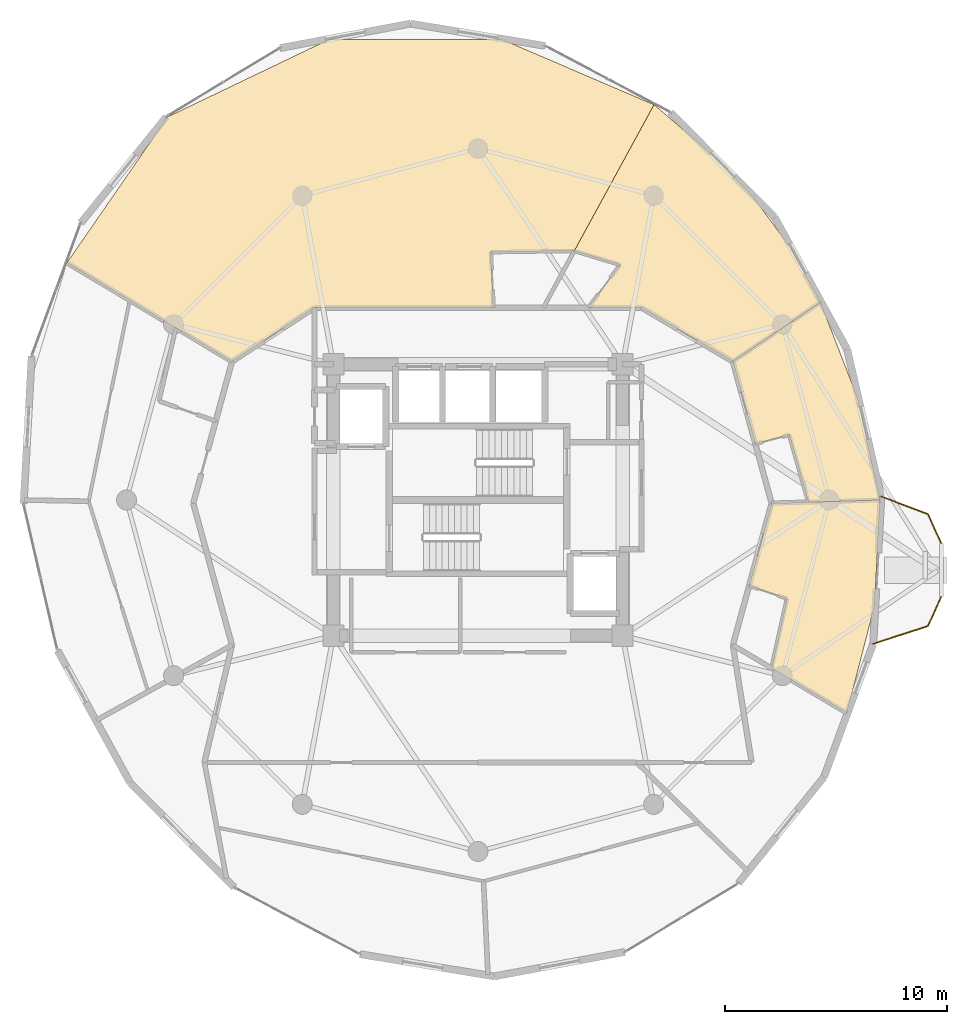
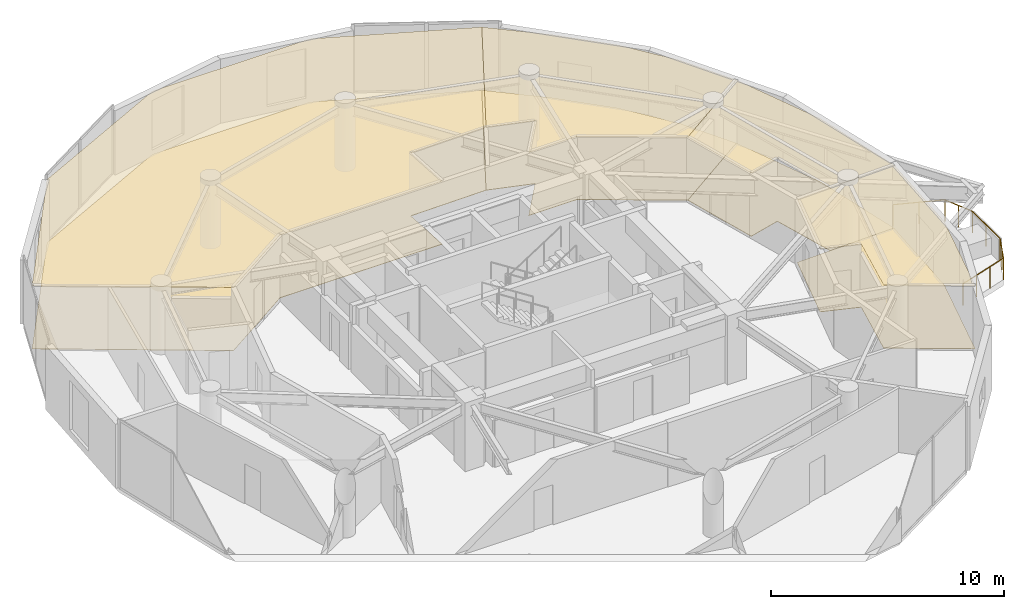
# One storey, part 21 of 21: 8 coverings, 1 railing.
"""IFC4 building model written with IfcOpenShell, lengths in metres."""

from ifc_helpers import new_model, si_unit, direction, frame, origin, origin_2d, place, context, subcontext, project, spatial, polyline, circle, outline, extrude, material, layer, layer_set, type_object, element, save


model = new_model("IFC4")

# Units and contexts
model_context = context("Model", 3, precision=1e-05, world=origin(), true_north=direction((0.0, 1.0)))
body_context = subcontext(model_context, "Body", "Model", "MODEL_VIEW")
ifc_project = project(units=[si_unit("LENGTHUNIT", "METRE"), si_unit("AREAUNIT", "SQUARE_METRE"), si_unit("VOLUMEUNIT", "CUBIC_METRE"), si_unit("PLANEANGLEUNIT", "RADIAN"), si_unit("MASSUNIT", "GRAM", prefix="KILO")], contexts=[model_context])

# Site, building, storey
site_placement = place(None, origin())
site = spatial("IfcSite", under=ifc_project, at=site_placement, CompositionType="ELEMENT")
building_placement = place(site_placement, origin())
building = spatial("IfcBuilding", under=site, at=building_placement, Name="Solvirekh Grand Hotel", CompositionType="ELEMENT")
storey_placement = place(building_placement, frame((0.0, 0.0, 216.39990234375)))
storey = spatial("IfcBuildingStorey", under=building, at=storey_placement, Name="L56", CompositionType="ELEMENT", Elevation=216.39990234375)

# Coverings
ifc_material_1 = material(Name="Acoustic Mineral Ceiling Tile")
ifc_layer_1 = layer(ifc_material_1, 0.02490234375)
ifc_layer_set_1 = layer_set([ifc_layer_1], Name="Acoustic Mineral Ceiling Tile")
covering_type_1 = type_object("IfcCoveringType", Name="Cov_Ceiling_Acoustic", PredefinedType="CEILING", material=ifc_layer_set_1)
covering_1_placement = place(storey_placement, frame((0.0, 0.0, 3.31005859375)))
element("IfcCovering", 1, at=covering_1_placement, inside=storey, type_object=covering_type_1, Name="L56 Deluxe Guestroom 5801 acoustic ceiling", PredefinedType="CEILING", context=body_context, shape_type="SweptSolid", body=[
    extrude(outline(polyline([(4.33203125, 11.2041015625), (6.39306640625, 10.575927734375), (4.968994140625, 8.64990234375), (7.35009765625, 8.64990234375), (11.4580078125, 6.22509765625), (15.39501953125, 8.887939453125), (14.035888671875, 11.365966796875), (12.321044921875, 13.68408203125), (10.242919921875, 15.77294921875), (7.9130859375, 17.77197265625), (4.33203125, 11.2041015625)])), origin(), (0.0, 0.0, 1.0), 0.01806640625),
])
covering_2_placement = place(storey_placement, frame((0.0, 0.0, 3.31005859375)))
element("IfcCovering", 2, at=covering_2_placement, inside=storey, type_object=covering_type_1, Name="L56 Panorama Suite 5802 acoustic ceiling", PredefinedType="CEILING", context=body_context, shape_type="SweptSolid", body=[
    extrude(outline(polyline([(0.68994140625, 8.64990234375), (0.570068359375, 11.14990234375), (4.33203125, 11.2041015625), (2.93994140625, 8.64990234375), (7.9130859375, 17.77197265625), (1.0849609375, 20.698974609375), (-6.721923828125, 20.68994140625), (-13.947998046875, 17.22412109375), (-18.47607421875, 10.6669921875), (-11.05810546875, 6.22509765625), (-7.35009765625, 8.64990234375), (0.68994140625, 8.64990234375)])), origin(), (0.0, 0.0, 1.0), 0.01806640625),
])
covering_3_placement = place(storey_placement, frame((0.0, 0.0, 3.31005859375)))
element("IfcCovering", 3, at=covering_3_placement, inside=storey, type_object=covering_type_1, Name="L56 Deluxe Guestroom 5804 acoustic ceiling", PredefinedType="CEILING", context=body_context, shape_type="SweptSolid", body=[
    extrude(outline(polyline([(13.89697265625, -4.427001953125), (13.198974609375, -7.56103515625), (16.580078125, -9.572021484375), (17.821044921875, -4.77490234375), (18.080078125, 0.0), (13.199951171875, -0.14990234375), (12.18994140625, -3.847900390625), (13.89697265625, -4.427001953125)])), origin(), (0.0, 0.0, 1.0), 0.01806640625),
])
covering_4_placement = place(storey_placement, frame((0.0, 0.0, 3.31005859375)))
element("IfcCovering", 4, at=covering_4_placement, inside=storey, type_object=covering_type_1, Name="L56 Deluxe Guestroom 5805 acoustic ceiling", PredefinedType="CEILING", context=body_context, shape_type="SweptSolid", body=[
    extrude(outline(polyline([(13.992919921875, 2.93701171875), (14.85888671875, -0.09912109375), (18.080078125, 0.0), (17.069091796875, 4.573974609375), (15.39501953125, 8.887939453125), (11.4580078125, 6.22509765625), (12.468017578125, 2.527099609375), (13.992919921875, 2.93701171875)])), origin(), (0.0, 0.0, 1.0), 0.01806640625),
])
ifc_material_2 = material(Name="Porcelain Stoneware Flooring", Category="masonry")
ifc_layer_2 = layer(ifc_material_2, 0.030029296875)
ifc_layer_set_2 = layer_set([ifc_layer_2], Name="Porcelain Stoneware Flooring")
covering_type_2 = type_object("IfcCoveringType", Name="Cov_Floor_Stone", PredefinedType="FLOORING", material=ifc_layer_set_2)
covering_5_placement = place(storey_placement, origin())
element("IfcCovering", 5, at=covering_5_placement, inside=storey, type_object=covering_type_2, Name="L56 Deluxe Guestroom 5801 polished granite flooring", PredefinedType="FLOORING", context=body_context, shape_type="SweptSolid", body=[
    extrude(outline(polyline([(4.33203125, 11.2041015625), (6.39306640625, 10.575927734375), (4.968994140625, 8.64990234375), (7.35009765625, 8.64990234375), (11.4580078125, 6.22509765625), (15.39501953125, 8.887939453125), (14.035888671875, 11.365966796875), (12.321044921875, 13.68408203125), (10.242919921875, 15.77294921875), (7.9130859375, 17.77197265625), (4.33203125, 11.2041015625)])), origin(), (0.0, 0.0, 1.0), 0.02001953125),
])
covering_6_placement = place(storey_placement, origin())
element("IfcCovering", 6, at=covering_6_placement, inside=storey, type_object=covering_type_2, Name="L56 Panorama Suite 5802 polished granite flooring", PredefinedType="FLOORING", context=body_context, shape_type="SweptSolid", body=[
    extrude(outline(polyline([(0.68994140625, 8.64990234375), (0.570068359375, 11.14990234375), (4.33203125, 11.2041015625), (2.93994140625, 8.64990234375), (7.9130859375, 17.77197265625), (1.0849609375, 20.698974609375), (-6.721923828125, 20.68994140625), (-13.947998046875, 17.22412109375), (-18.47607421875, 10.6669921875), (-11.05810546875, 6.22509765625), (-7.35009765625, 8.64990234375), (0.68994140625, 8.64990234375)])), origin(), (0.0, 0.0, 1.0), 0.02001953125),
])
covering_7_placement = place(storey_placement, origin())
element("IfcCovering", 7, at=covering_7_placement, inside=storey, type_object=covering_type_2, Name="L56 Deluxe Guestroom 5804 polished granite flooring", PredefinedType="FLOORING", context=body_context, shape_type="SweptSolid", body=[
    extrude(outline(polyline([(13.89697265625, -4.427001953125), (13.198974609375, -7.56103515625), (16.580078125, -9.572021484375), (17.821044921875, -4.77490234375), (18.080078125, 0.0), (13.199951171875, -0.14990234375), (12.18994140625, -3.847900390625), (13.89697265625, -4.427001953125)])), origin(), (0.0, 0.0, 1.0), 0.02001953125),
])
covering_8_placement = place(storey_placement, origin())
element("IfcCovering", 8, at=covering_8_placement, inside=storey, type_object=covering_type_2, Name="L56 Deluxe Guestroom 5805 polished granite flooring", PredefinedType="FLOORING", context=body_context, shape_type="SweptSolid", body=[
    extrude(outline(polyline([(13.992919921875, 2.93701171875), (14.85888671875, -0.09912109375), (18.080078125, 0.0), (17.069091796875, 4.573974609375), (15.39501953125, 8.887939453125), (11.4580078125, 6.22509765625), (12.468017578125, 2.527099609375), (13.992919921875, 2.93701171875)])), origin(), (0.0, 0.0, 1.0), 0.02001953125),
])

# Railing
ifc_material_3 = material(Name="Anodized Bronze Aluminium 6063-T6", Category="aluminium")
railing_type = type_object("IfcRailingType", Name="Guard_ExtGlass_1150", PredefinedType="BALUSTRADE", material=ifc_material_3)
railing_placement = place(storey_placement, frame((17.76806640625, -6.466064453125, 0.0)))
element("IfcRailing", 9, at=railing_placement, inside=storey, type_object=railing_type, Name="L56 horn perimeter glass balustrade", PredefinedType="BALUSTRADE", context=body_context, shape_type="SweptSolid", body=[
    extrude(circle(Radius=0.02392578125, at=origin_2d()), frame((0.0, 0.0, 1.1259765625), z_axis=(0.951559920703, 0.307463359299, 0.0), x_axis=(-0.307463359299, 0.951559920703, 0.0)), (0.0, 0.0, 1.0), 2.586181640625),
    extrude(circle(Radius=0.02392578125, at=origin_2d()), frame((2.4609375, 0.795166015625, 1.1259765625), z_axis=(0.412323691514, 0.911037416035, 0.0), x_axis=(-0.911037416035, 0.412323691514, 0.0)), (0.0, 0.0, 1.0), 1.455322265625),
    extrude(circle(Radius=0.02392578125, at=origin_2d()), frame((3.06103515625, 2.12109375, 1.1259765625), z_axis=(0.0, 1.0, 0.0), x_axis=(-1.0, 0.0, 0.0)), (0.0, 0.0, 1.0), 2.385009765625),
    extrude(circle(Radius=0.02392578125, at=origin_2d()), frame((3.06103515625, 4.506103515625, 1.1259765625), z_axis=(-0.412323691514, 0.911037416035, 0.0), x_axis=(-0.911037416035, -0.412323691514, 0.0)), (0.0, 0.0, 1.0), 1.455322265625),
    extrude(circle(Radius=0.02392578125, at=origin_2d()), frame((2.4609375, 5.83203125, 1.1259765625), z_axis=(-0.935243455758, 0.35400519553, 0.0), x_axis=(-0.35400519553, -0.935243455758, 0.0)), (0.0, 0.0, 1.0), 2.24560546875),
    extrude(circle(Radius=0.02099609375, at=origin_2d()), origin(), (0.0, 0.0, 1.0), 1.101806640625),
    extrude(circle(Radius=0.02099609375, at=origin_2d()), frame((0.8203125, 0.26513671875, 0.0)), (0.0, 0.0, 1.0), 1.101806640625),
    extrude(circle(Radius=0.02099609375, at=origin_2d()), frame((1.640625, 0.530029296875, 0.0)), (0.0, 0.0, 1.0), 1.101806640625),
    extrude(circle(Radius=0.02099609375, at=origin_2d()), frame((2.4609375, 0.795166015625, 0.0)), (0.0, 0.0, 1.0), 1.101806640625),
    extrude(circle(Radius=0.02099609375, at=origin_2d()), frame((2.760986328125, 1.4580078125, 0.0)), (0.0, 0.0, 1.0), 1.101806640625),
    extrude(circle(Radius=0.02099609375, at=origin_2d()), frame((3.06103515625, 2.12109375, 0.0)), (0.0, 0.0, 1.0), 1.101806640625),
    extrude(circle(Radius=0.02099609375, at=origin_2d()), frame((3.06103515625, 3.3134765625, 0.0)), (0.0, 0.0, 1.0), 1.101806640625),
    extrude(circle(Radius=0.02099609375, at=origin_2d()), frame((3.06103515625, 4.506103515625, 0.0)), (0.0, 0.0, 1.0), 1.101806640625),
    extrude(circle(Radius=0.02099609375, at=origin_2d()), frame((2.760986328125, 5.1689453125, 0.0)), (0.0, 0.0, 1.0), 1.101806640625),
    extrude(circle(Radius=0.02099609375, at=origin_2d()), frame((2.4609375, 5.83203125, 0.0)), (0.0, 0.0, 1.0), 1.101806640625),
    extrude(circle(Radius=0.02099609375, at=origin_2d()), frame((1.410888671875, 6.2294921875, 0.0)), (0.0, 0.0, 1.0), 1.101806640625),
    extrude(circle(Radius=0.02099609375, at=origin_2d()), frame((0.36083984375, 6.626953125, 0.0)), (0.0, 0.0, 1.0), 1.101806640625),
])

save(model, "model.ifc")
